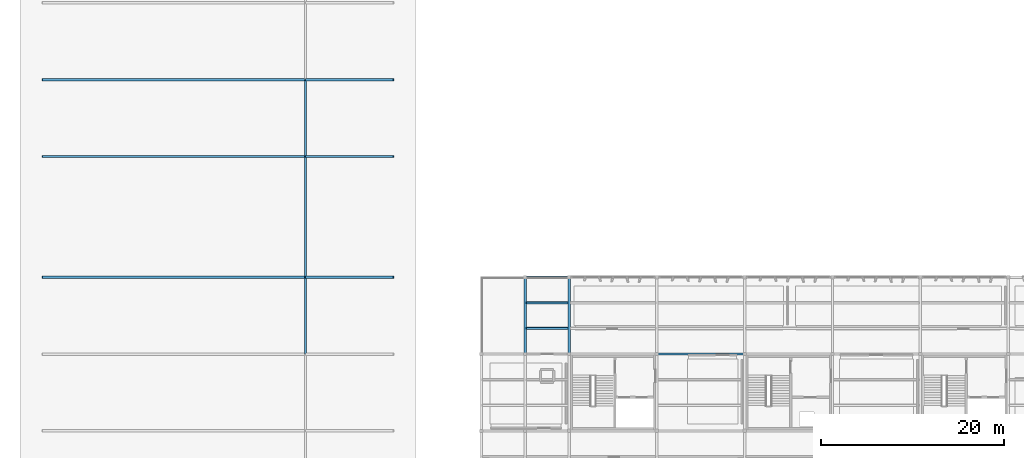
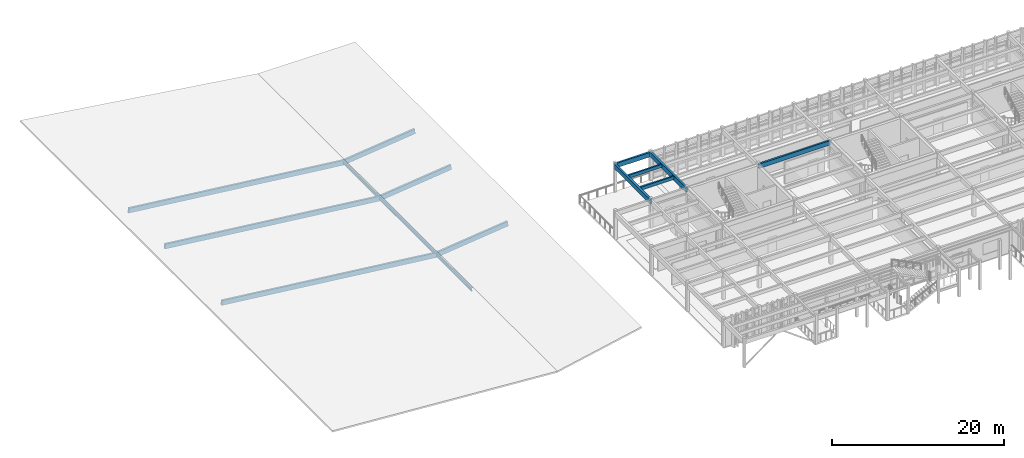
# One storey, part 4 of 18: 9 beams, 6 members.
"""IFC4 building model written with IfcOpenShell, lengths in metres."""

import ifcopenshell
import ifcopenshell.guid

model = None  # the IFC model being written
_history = None  # IfcOwnerHistory: only IFC2X3 demands one
_inside = {}  # id of a spatial element -> (the spatial element, [elements in it])
_under = {}  # id of a project, library or spatial element -> (it, [spatial elements below it])
_declared = {}  # id of a project -> (the project, [libraries it declares])
_typed = {}  # id of a type object -> (the type object, [elements of that type])
_made_of = {}  # id of a material, layer set ... -> (it, [elements and type objects made of it])


def new_model(schema):
    """Start an empty IFC model of exactly this schema.

    Asked for "IFC4X3", IfcOpenShell would pick the latest addendum, in which some entities
    have other attributes; the version numbers below select the first issue.
    IFC2X3 requires an IfcOwnerHistory on every rooted entity: one is made here for all.
    """
    global model, _history
    if schema == "IFC4X3":
        model = ifcopenshell.file(schema_version=(4, 3, 0, 0))
    else:
        model = ifcopenshell.file(schema=schema)
    _inside.clear()
    _under.clear()
    _declared.clear()
    _typed.clear()
    _made_of.clear()
    _history = None
    if model.schema == "IFC2X3":
        org = make("IfcOrganization", Name="unknown")
        user = make(
            "IfcPersonAndOrganization",
            ThePerson=make("IfcPerson", FamilyName="unknown"),
            TheOrganization=org,
        )
        app = make(
            "IfcApplication",
            ApplicationDeveloper=org,
            Version="unknown",
            ApplicationFullName="unknown",
            ApplicationIdentifier="unknown",
        )
        _history = make(
            "IfcOwnerHistory",
            OwningUser=user,
            OwningApplication=app,
            ChangeAction="ADDED",
            CreationDate=0,
        )
    return model


def make(cls, **values):
    """One entity of the class cls with the attributes given. An attribute that is None is left unset."""
    return model.create_entity(
        cls, **{name: value for name, value in values.items() if value is not None}
    )


def rooted(cls, **values):
    """An entity with a GlobalId (a new one), such as an element, a storey or a relation."""
    return make(cls, GlobalId=ifcopenshell.guid.new(), OwnerHistory=_history, **values)


def si_unit(unit_type, name, prefix=None):
    """IfcSIUnit, for example si_unit("LENGTHUNIT", "METRE", prefix="MILLI")."""
    return make("IfcSIUnit", UnitType=unit_type, Prefix=prefix, Name=name)


def assignment(units):
    """IfcUnitAssignment: the units of a project."""
    return None if units is None else make("IfcUnitAssignment", Units=units)


def point(xyz):
    """IfcCartesianPoint."""
    return None if xyz is None else make("IfcCartesianPoint", Coordinates=xyz)


def direction(xyz):
    """IfcDirection."""
    return None if xyz is None else make("IfcDirection", DirectionRatios=xyz)


def frame(location, z_axis=None, x_axis=None):
    """IfcAxis2Placement3D, a coordinate frame: its origin and axes. An axis left out is left unset."""
    return make(
        "IfcAxis2Placement3D",
        Location=point(location),
        Axis=direction(z_axis),
        RefDirection=direction(x_axis),
    )


def frame_2d(location, x_axis=None):
    """IfcAxis2Placement2D, a coordinate frame in the plane: its origin and x axis."""
    return make(
        "IfcAxis2Placement2D", Location=point(location), RefDirection=direction(x_axis)
    )


def origin():
    """The frame at (0, 0, 0) with its axes left unset."""
    return frame((0.0, 0.0, 0.0))


def origin_2d():
    """The frame at (0, 0) in the plane with its x axis left unset."""
    return frame_2d((0.0, 0.0))


def place(relative_to, where):
    """IfcLocalPlacement: puts the frame where relative to a parent placement (None: the world)."""
    return make(
        "IfcLocalPlacement", PlacementRelTo=relative_to, RelativePlacement=where
    )


def context(
    kind, dimensions, precision=None, world=None, true_north=None, identifier=None
):
    """IfcGeometricRepresentationContext, for example the 3D "Model" context."""
    return make(
        "IfcGeometricRepresentationContext",
        ContextIdentifier=identifier,
        ContextType=kind,
        CoordinateSpaceDimension=dimensions,
        Precision=precision,
        WorldCoordinateSystem=world,
        TrueNorth=true_north,
    )


def subcontext(parent, identifier, kind, view, scale=None):
    """IfcGeometricRepresentationSubContext, for example "Body" below "Model"."""
    return make(
        "IfcGeometricRepresentationSubContext",
        ContextIdentifier=identifier,
        ContextType=kind,
        ParentContext=parent,
        TargetScale=scale,
        TargetView=view,
    )


def project(units=None, contexts=None):
    """IfcProject with its units and contexts."""
    return rooted(
        "IfcProject",
        Name="project",
        RepresentationContexts=contexts,
        UnitsInContext=assignment(units),
    )


def spatial(cls, under=None, at=None, **own):
    """A site, building, storey or space (cls), placed at a placement, below another one or the project."""
    s = rooted(cls, ObjectPlacement=at, **own)
    if under is not None:
        _under.setdefault(under.id(), (under, []))[1].append(s)
    return s


def profile(cls, at=None, kind="AREA", **sizes):
    """A parametric profile (cls). Its sizes go by their IFC names, for example OverallWidth=200.0."""
    return make(cls, ProfileType=kind, Position=at, **sizes)


def rectangle(**sizes):
    """IfcRectangleProfileDef."""
    return profile("IfcRectangleProfileDef", **sizes)


def i_section(**sizes):
    """IfcIShapeProfileDef."""
    return profile("IfcIShapeProfileDef", **sizes)


def extrude(swept, where, along, depth):
    """IfcExtrudedAreaSolid: the profile swept, set in the frame where, extruded along a direction by depth."""
    return make(
        "IfcExtrudedAreaSolid",
        SweptArea=swept,
        Position=where,
        ExtrudedDirection=direction(along),
        Depth=depth,
    )


def shape(context_of_items, identifier, shape_type, items):
    """IfcShapeRepresentation: the items that make up one representation, for example the "Body"."""
    return make(
        "IfcShapeRepresentation",
        ContextOfItems=context_of_items,
        RepresentationIdentifier=identifier,
        RepresentationType=shape_type,
        Items=items,
    )


def material(Name=None, Category=None):
    """IfcMaterial."""
    return make("IfcMaterial", Name=Name, Category=Category)


def material_profile(
    of_material, cross_section, Name=None, Category=None, Priority=None
):
    """IfcMaterialProfile: a cross section and its material."""
    return make(
        "IfcMaterialProfile",
        Name=Name,
        Material=of_material,
        Profile=cross_section,
        Priority=Priority,
        Category=Category,
    )


def profile_set(profiles, Name=None, composite=None):
    """IfcMaterialProfileSet."""
    return make(
        "IfcMaterialProfileSet",
        Name=Name,
        MaterialProfiles=profiles,
        CompositeProfile=composite,
    )


def made_of(thing, what):
    """Note that an element or type object is made of a material, layer set ...; save() writes the relation."""
    if what is not None:
        _made_of.setdefault(what.id(), (what, []))[1].append(thing)
    return thing


def type_object(cls, material=None, **own):
    """A type object (cls), such as IfcWallType, which elements share."""
    return made_of(rooted(cls, **own), material)


def element(
    cls,
    number,
    at=None,
    inside=None,
    cuts=None,
    type_object=None,
    material=None,
    context=None,
    identifier="Body",
    shape_type=None,
    held_by="IfcProductDefinitionShape",
    body=None,
    shapes=None,
    **own,
):
    """One element of the class cls, such as IfcWall. Its Tag is "e" and its number.

    at: its placement. inside: the storey or other place that contains it. cuts: it is an
    opening in that element (IfcRelVoidsElement). A single representation is given by context,
    identifier, shape_type and body (its items); several are given by shapes. held_by: the class
    of the entity that holds the representations. save() writes the other relations.
    """
    e = rooted(cls, Tag="e%d" % number, ObjectPlacement=at, **own)
    if body is not None:
        shapes = [shape(context, identifier, shape_type, body)]
    if shapes is not None:
        e.Representation = make(held_by, Representations=shapes)
    if inside is not None:
        _inside.setdefault(inside.id(), (inside, []))[1].append(e)
    if cuts is not None:
        rooted(
            "IfcRelVoidsElement", RelatingBuildingElement=cuts, RelatedOpeningElement=e
        )
    if type_object is not None:
        _typed.setdefault(type_object.id(), (type_object, []))[1].append(e)
    return made_of(e, material)


def aggregate(whole, parts):
    """IfcRelAggregates: a whole, such as a stair, and the parts it consists of."""
    return rooted("IfcRelAggregates", RelatingObject=whole, RelatedObjects=parts)


def save(model, path):
    """Write the relations noted so far, then the file.

    IfcRelAggregates (storeys below a building ...), IfcRelContainedInSpatialStructure (elements
    in a storey), IfcRelDefinesByType, IfcRelAssociatesMaterial and IfcRelDeclares: one each for
    every whole, place, type object, material and project.
    """
    for whole, parts in _under.values():
        aggregate(whole, parts)
    for where, things in _inside.values():
        rooted(
            "IfcRelContainedInSpatialStructure",
            RelatedElements=things,
            RelatingStructure=where,
        )
    for kind, things in _typed.values():
        rooted("IfcRelDefinesByType", RelatedObjects=things, RelatingType=kind)
    for what, things in _made_of.values():
        rooted("IfcRelAssociatesMaterial", RelatedObjects=things, RelatingMaterial=what)
    for by, libraries in _declared.values():
        rooted("IfcRelDeclares", RelatingContext=by, RelatedDefinitions=libraries)
    model.write(path)


model = new_model("IFC4")

# Units and contexts
model_context = context("Model", 3, precision=1e-05, world=origin(), true_north=direction((0.0, 1.0)))
body_context = subcontext(model_context, "Body", "Model", "MODEL_VIEW")
ifc_project = project(units=[si_unit("LENGTHUNIT", "METRE"), si_unit("AREAUNIT", "SQUARE_METRE"), si_unit("VOLUMEUNIT", "CUBIC_METRE"), si_unit("PLANEANGLEUNIT", "RADIAN"), si_unit("MASSUNIT", "GRAM", prefix="KILO")], contexts=[model_context])

# Site, building, storey
site_placement = place(None, origin())
site = spatial("IfcSite", under=ifc_project, at=site_placement, CompositionType="ELEMENT")
building_placement = place(site_placement, origin())
building = spatial("IfcBuilding", under=site, at=building_placement, Name="Kolvemor Railside Polytechnic", CompositionType="ELEMENT")
storey_placement = place(building_placement, frame((0.0, 0.0, 18.60009765625)))
storey = spatial("IfcBuildingStorey", under=building, at=storey_placement, Name="L04", CompositionType="ELEMENT", Elevation=18.60009765625)

# Beams
ifc_material_1 = material(Name="Glulam GL28h", Category="wood")
ifc_material_profile_1 = material_profile(ifc_material_1, rectangle(XDim=0.264892578125, YDim=0.679931640625, at=origin_2d()), Name="GL265x680")
ifc_profile_set_1 = profile_set([ifc_material_profile_1], Name="Glulam GL28h")
beam_type_1 = type_object("IfcBeamType", Name="BM-GL-GIRD2", PredefinedType="BEAM", material=ifc_profile_set_1)
for number, where, z_axis, x_axis, name in (
    (1, (62.39990234375, 30.0, 3.6298828125), (0.0, 1.0, 0.0), (-1.0, 0.0, 0.0), "Primary Girder L05-GY 1551"),
    (2, (67.199951171875, 30.0, 3.6298828125), (0.0, 1.0, 0.0), (-1.0, 0.0, 0.0), "Primary Girder L05-GY 1555"),
):
    element("IfcBeam", number, at=place(storey_placement, frame(where, z_axis=z_axis, x_axis=x_axis)), inside=storey, type_object=beam_type_1, Name=name, PredefinedType="BEAM", context=body_context, shape_type="SweptSolid", body=[
        extrude(rectangle(XDim=0.264892578125, YDim=0.679931640625, at=origin_2d()), origin(), (0.0, 0.0, 1.0), 8.39990234375),
    ])
ifc_material_2 = material(Name="Glulam GL28h", Category="wood")
ifc_material_profile_2 = material_profile(ifc_material_2, rectangle(XDim=0.239990234375, YDim=0.639892578125, at=origin_2d()), Name="GL240x640")
ifc_profile_set_2 = profile_set([ifc_material_profile_2], Name="Glulam GL28h")
beam_type_2 = type_object("IfcBeamType", Name="BM-GL-GIRD5", PredefinedType="BEAM", material=ifc_profile_set_2)
beam_1_placement = place(storey_placement, frame((76.800048828125, 30.0, 3.64990234375), z_axis=(1.0, 0.0, 0.0), x_axis=(0.0, 1.0, 0.0)))
element("IfcBeam", 3, at=beam_1_placement, inside=storey, type_object=beam_type_2, Name="Primary Girder L05-GX 1538", PredefinedType="BEAM", context=body_context, shape_type="SweptSolid", body=[
    extrude(rectangle(XDim=0.239990234375, YDim=0.639892578125, at=origin_2d()), origin(), (0.0, 0.0, 1.0), 9.599853515625),
])
beam_2_placement = place(storey_placement, frame((62.39990234375, 38.39990234375, 3.64990234375), z_axis=(1.0, 0.0, 0.0), x_axis=(0.0, 1.0, 0.0)))
element("IfcBeam", 4, at=beam_2_placement, inside=storey, type_object=beam_type_2, Name="Primary Girder L05-GX 1542", PredefinedType="BEAM", context=body_context, shape_type="SweptSolid", body=[
    extrude(rectangle(XDim=0.239990234375, YDim=0.639892578125, at=origin_2d()), origin(), (0.0, 0.0, 1.0), 4.800048828125),
])
ifc_material_3 = material(Name="Glulam GL28h", Category="wood")
ifc_material_profile_3 = material_profile(ifc_material_3, rectangle(XDim=0.215087890625, YDim=0.449951171875, at=origin_2d()), Name="GL215x450")
ifc_profile_set_3 = profile_set([ifc_material_profile_3], Name="Glulam GL28h")
beam_type_3 = type_object("IfcBeamType", Name="BM-GL-JST2", PredefinedType="JOIST", material=ifc_profile_set_3)
for number, where, z_axis, x_axis, name in (
    (5, (62.532958984375, 32.800048828125, 3.744873046875), (1.0, 0.0, 0.0), (0.0, 1.0, 0.0), "Floor Joist L05-J1582"),
    (6, (62.532958984375, 35.60009765625, 3.744873046875), (1.0, 0.0, 0.0), (0.0, 1.0, 0.0), "Floor Joist L05-J1583"),
):
    element("IfcBeam", number, at=place(storey_placement, frame(where, z_axis=z_axis, x_axis=x_axis)), inside=storey, type_object=beam_type_3, Name=name, PredefinedType="JOIST", context=body_context, shape_type="SweptSolid", body=[
        extrude(rectangle(XDim=0.215087890625, YDim=0.449951171875, at=origin_2d()), origin(), (0.0, 0.0, 1.0), 4.533935546875),
    ])
ifc_material_4 = material(Name="Steel S355", Category="steel")
ifc_material_profile_4 = material_profile(ifc_material_4, i_section(OverallWidth=0.19091796875, OverallDepth=0.4599609375, WebThickness=0.010009765625, FlangeThickness=0.01611328125, FilletRadius=0.012939453125, at=origin_2d()), Name="W460x82")
ifc_profile_set_4 = profile_set([ifc_material_profile_4], Name="Steel S355")
beam_type_4 = type_object("IfcBeamType", Name="BM-ST-ROOF", PredefinedType="BEAM", material=ifc_profile_set_4)
beam_3_placement = place(storey_placement, frame((38.39990234375, 30.0, -0.4501953125), z_axis=(0.0, 1.0, 0.0), x_axis=(-1.0, 0.0, 0.0)))
element("IfcBeam", 7, at=beam_3_placement, inside=storey, type_object=beam_type_4, Name="Lecture Wing Fold Beam B-ST1-30", PredefinedType="BEAM", context=body_context, shape_type="SweptSolid", body=[
    extrude(i_section(OverallWidth=0.19091796875, OverallDepth=0.4599609375, WebThickness=0.010009765625, FlangeThickness=0.01611328125, FilletRadius=0.012939453125, at=origin_2d()), origin(), (0.0, 0.0, 1.0), 8.39990234375),
])
beam_4_placement = place(storey_placement, frame((38.39990234375, 38.39990234375, -0.4501953125), z_axis=(0.0, 1.0, 0.0), x_axis=(-1.0, 0.0, 0.0)))
element("IfcBeam", 8, at=beam_4_placement, inside=storey, type_object=beam_type_4, Name="Lecture Wing Fold Beam B-ST1-38", PredefinedType="BEAM", context=body_context, shape_type="SweptSolid", body=[
    extrude(i_section(OverallWidth=0.19091796875, OverallDepth=0.4599609375, WebThickness=0.010009765625, FlangeThickness=0.01611328125, FilletRadius=0.012939453125, at=origin_2d()), origin(), (0.0, 0.0, 1.0), 13.2001953125),
])
beam_5_placement = place(storey_placement, frame((38.39990234375, 51.60009765625, -0.4501953125), z_axis=(0.0, 1.0, 0.0), x_axis=(-1.0, 0.0, 0.0)))
element("IfcBeam", 9, at=beam_5_placement, inside=storey, type_object=beam_type_4, Name="Lecture Wing Fold Beam B-ST1-51", PredefinedType="BEAM", context=body_context, shape_type="SweptSolid", body=[
    extrude(i_section(OverallWidth=0.19091796875, OverallDepth=0.4599609375, WebThickness=0.010009765625, FlangeThickness=0.01611328125, FilletRadius=0.012939453125, at=origin_2d()), origin(), (0.0, 0.0, 1.0), 8.39990234375),
])

# Members
ifc_material_5 = material(Name="Glulam GL28h", Category="wood")
ifc_material_profile_5 = material_profile(ifc_material_5, rectangle(XDim=0.264892578125, YDim=0.679931640625, at=origin_2d()), Name="GL265x680")
ifc_profile_set_5 = profile_set([ifc_material_profile_5], Name="Glulam GL28h")
member_type = type_object("IfcMemberType", Name="MEM-WG-RAFTER", PredefinedType="RAFTER", material=ifc_profile_set_5)
member_1_placement = place(storey_placement, frame((9.60009765625, 38.39990234375, 2.699951171875), z_axis=(0.993576875742, 0.0, -0.113159144532), x_axis=(0.0, 1.0, 0.0)))
element("IfcMember", 10, at=member_1_placement, inside=storey, type_object=member_type, Name="Lecture Wing Swept Rafter RF-V3W-38", PredefinedType="RAFTER", context=body_context, shape_type="SweptSolid", body=[
    extrude(rectangle(XDim=0.264892578125, YDim=0.679931640625, at=origin_2d()), origin(), (0.0, 0.0, 1.0), 28.986083984375),
])
member_2_placement = place(storey_placement, frame((38.39990234375, 38.39990234375, -0.580078125), z_axis=(0.993498260898, 0.0, 0.113847290667), x_axis=(0.0, 1.0, 0.0)))
element("IfcMember", 11, at=member_2_placement, inside=storey, type_object=member_type, Name="Lecture Wing Counter Rafter RF-V3E-38", PredefinedType="RAFTER", context=body_context, shape_type="SweptSolid", body=[
    extrude(rectangle(XDim=0.264892578125, YDim=0.679931640625, at=origin_2d()), origin(), (0.0, 0.0, 1.0), 9.662841796875),
])
member_3_placement = place(storey_placement, frame((9.60009765625, 51.60009765625, 2.699951171875), z_axis=(0.993576875742, 0.0, -0.113159144532), x_axis=(0.0, 1.0, 0.0)))
element("IfcMember", 12, at=member_3_placement, inside=storey, type_object=member_type, Name="Lecture Wing Swept Rafter RF-V3W-51", PredefinedType="RAFTER", context=body_context, shape_type="SweptSolid", body=[
    extrude(rectangle(XDim=0.264892578125, YDim=0.679931640625, at=origin_2d()), origin(), (0.0, 0.0, 1.0), 28.986083984375),
])
member_4_placement = place(storey_placement, frame((38.39990234375, 51.60009765625, -0.580078125), z_axis=(0.993498260898, 0.0, 0.113847290667), x_axis=(0.0, 1.0, 0.0)))
element("IfcMember", 13, at=member_4_placement, inside=storey, type_object=member_type, Name="Lecture Wing Counter Rafter RF-V3E-51", PredefinedType="RAFTER", context=body_context, shape_type="SweptSolid", body=[
    extrude(rectangle(XDim=0.264892578125, YDim=0.679931640625, at=origin_2d()), origin(), (0.0, 0.0, 1.0), 9.662841796875),
])
member_5_placement = place(storey_placement, frame((9.60009765625, 60.0, 2.699951171875), z_axis=(0.993576875742, 0.0, -0.113159144532), x_axis=(0.0, 1.0, 0.0)))
element("IfcMember", 14, at=member_5_placement, inside=storey, type_object=member_type, Name="Lecture Wing Swept Rafter RF-V3W-60", PredefinedType="RAFTER", context=body_context, shape_type="SweptSolid", body=[
    extrude(rectangle(XDim=0.264892578125, YDim=0.679931640625, at=origin_2d()), origin(), (0.0, 0.0, 1.0), 28.986083984375),
])
member_6_placement = place(storey_placement, frame((38.39990234375, 60.0, -0.580078125), z_axis=(0.993498260898, 0.0, 0.113847290667), x_axis=(0.0, 1.0, 0.0)))
element("IfcMember", 15, at=member_6_placement, inside=storey, type_object=member_type, Name="Lecture Wing Counter Rafter RF-V3E-60", PredefinedType="RAFTER", context=body_context, shape_type="SweptSolid", body=[
    extrude(rectangle(XDim=0.264892578125, YDim=0.679931640625, at=origin_2d()), origin(), (0.0, 0.0, 1.0), 9.662841796875),
])

save(model, "model.ifc")
